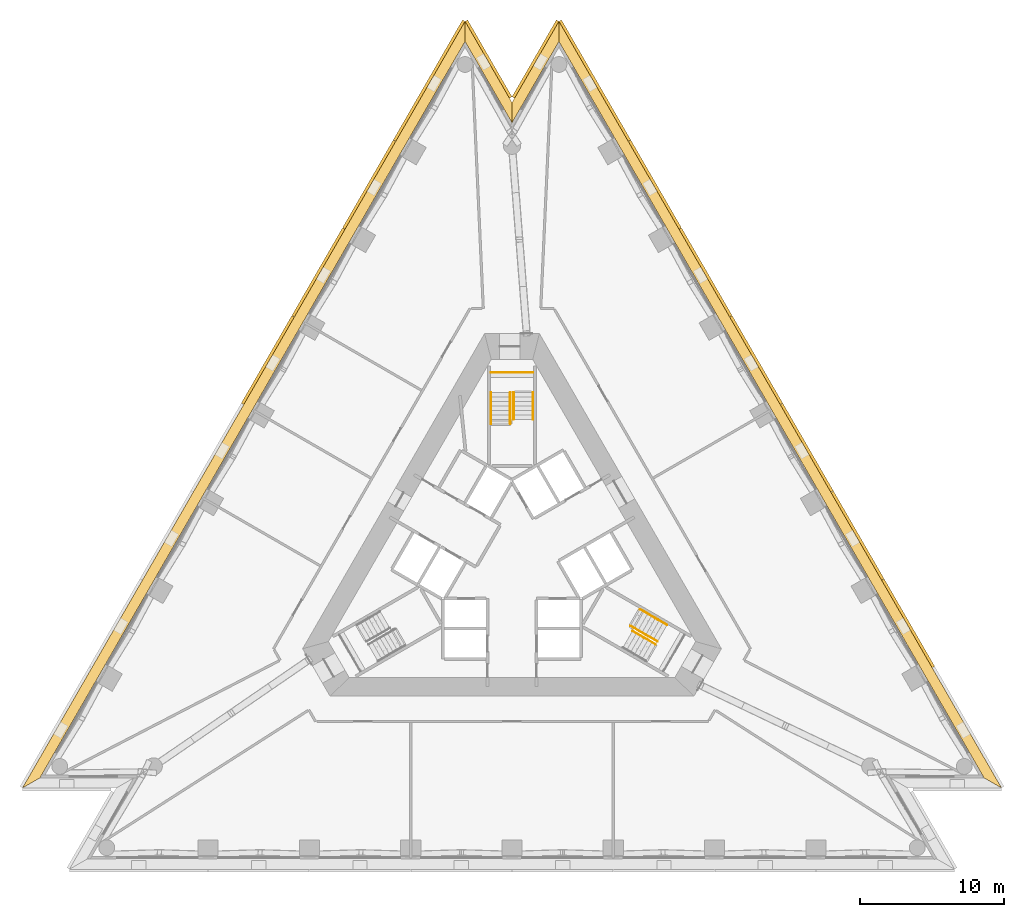
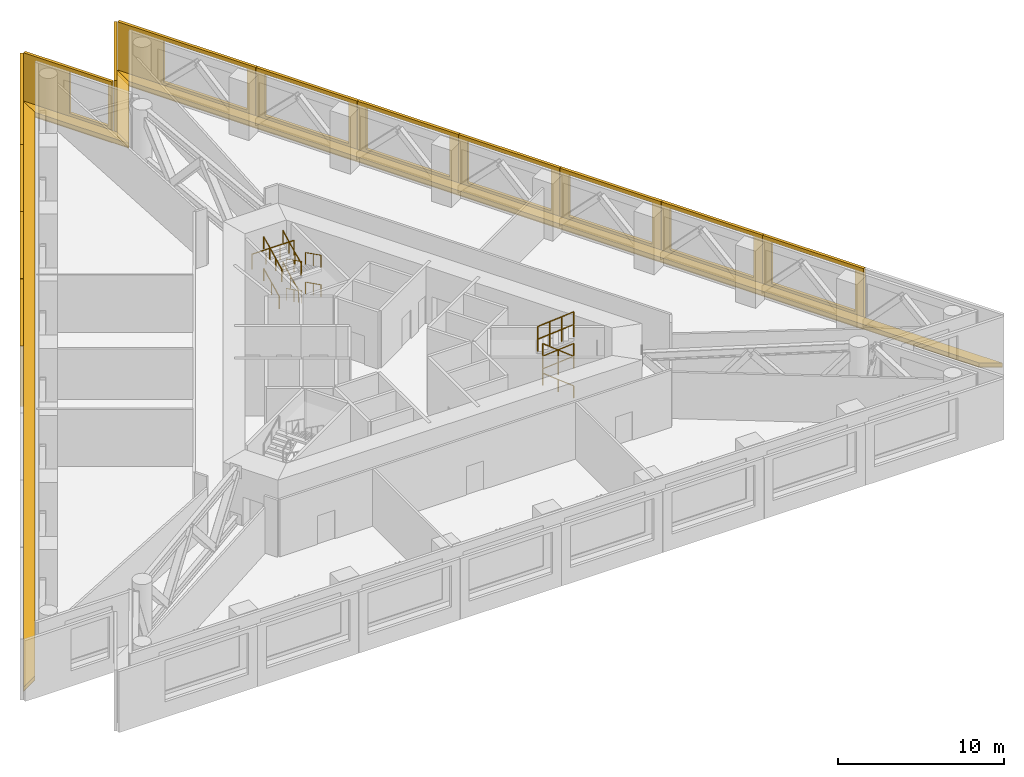
# One storey, part 12 of 12: 17 shading devices, 15 railings, 4 coverings, 2 elements without a shape of their own.
"""IFC4 building model written with IfcOpenShell, lengths in metres."""

from ifc_helpers import new_model, si_unit, direction, frame, origin, origin_2d, place, context, subcontext, project, spatial, polyline, circle, outline, extrude, material, layer, layer_set, layer_usage, type_object, element, aggregate, save


model = new_model("IFC4")

# Units and contexts
model_context = context("Model", 3, precision=1e-05, world=origin(), true_north=direction((0.0, 1.0)))
body_context = subcontext(model_context, "Body", "Model", "MODEL_VIEW")
ifc_project = project(units=[si_unit("LENGTHUNIT", "METRE"), si_unit("AREAUNIT", "SQUARE_METRE"), si_unit("VOLUMEUNIT", "CUBIC_METRE"), si_unit("PLANEANGLEUNIT", "RADIAN"), si_unit("MASSUNIT", "GRAM", prefix="KILO")], contexts=[model_context])

# Site, building, storey
site_placement = place(None, origin())
site = spatial("IfcSite", under=ifc_project, at=site_placement, CompositionType="ELEMENT")
building_placement = place(site_placement, origin())
building = spatial("IfcBuilding", under=site, at=building_placement, Name="Triada Interchange Tower", CompositionType="ELEMENT")
storey_placement = place(building_placement, frame((0.0, 0.0, 99.800048828125)))
storey = spatial("IfcBuildingStorey", under=building, at=storey_placement, Name="L22", CompositionType="ELEMENT", Elevation=99.800048828125)

# Coverings
ifc_material_1 = material(Name="Mineral fire-stop board")
ifc_layer_1 = layer(ifc_material_1, 0.0400390625, Name="Mineral fire-stop board")
ifc_material_2 = material(Name="Intumescent sealant")
ifc_layer_2 = layer(ifc_material_2, 0.010009765625, Name="Intumescent seal")
ifc_layer_set_1 = layer_set([ifc_layer_1, ifc_layer_2], Name="Cavity fire stop")
ifc_layer_usage = layer_usage(ifc_layer_set_1, "AXIS3", "POSITIVE", 0.0)
covering_type = type_object("IfcCoveringType", Name="Cavity fire stop", PredefinedType="INSULATION", material=ifc_layer_set_1)
covering_1_placement = place(storey_placement, origin())
element("IfcCovering", 1, at=covering_1_placement, inside=storey, type_object=covering_type, material=ifc_layer_usage, Name="Cavity fire stop L22 NW", PredefinedType="INSULATION", context=body_context, shape_type="SweptSolid", body=[
    extrude(outline(polyline([(-3.261962890625, 36.00390625), (-3.261962890625, 37.404052734375), (-34.02294921875, -15.876953125), (-32.81103515625, -15.177001953125), (-3.261962890625, 36.00390625)])), origin(), (0.0, 0.0, 1.0), 0.050048828125),
])
covering_2_placement = place(storey_placement, origin())
element("IfcCovering", 2, at=covering_2_placement, inside=storey, type_object=covering_type, material=ifc_layer_usage, Name="Cavity fire stop L22 NE", PredefinedType="INSULATION", context=body_context, shape_type="SweptSolid", body=[
    extrude(outline(polyline([(32.81103515625, -15.177001953125), (34.02294921875, -15.876953125), (3.261962890625, 37.404052734375), (3.261962890625, 36.00390625), (32.81103515625, -15.177001953125)])), origin(), (0.0, 0.0, 1.0), 0.050048828125),
])
covering_3_placement = place(storey_placement, origin())
element("IfcCovering", 3, at=covering_3_placement, inside=storey, type_object=covering_type, material=ifc_layer_usage, Name="Cavity fire stop L22 N-1", PredefinedType="INSULATION", context=body_context, shape_type="SweptSolid", body=[
    extrude(outline(polyline([(3.261962890625, 36.00390625), (3.261962890625, 37.404052734375), (0.0, 31.7529296875), (0.0, 30.35302734375), (3.261962890625, 36.00390625)])), origin(), (0.0, 0.0, 1.0), 0.050048828125),
])
covering_4_placement = place(storey_placement, origin())
element("IfcCovering", 4, at=covering_4_placement, inside=storey, type_object=covering_type, material=ifc_layer_usage, Name="Cavity fire stop L22 N-2", PredefinedType="INSULATION", context=body_context, shape_type="SweptSolid", body=[
    extrude(outline(polyline([(0.0, 30.35302734375), (0.0, 31.7529296875), (-3.261962890625, 37.404052734375), (-3.261962890625, 36.00390625), (0.0, 30.35302734375)])), origin(), (0.0, 0.0, 1.0), 0.050048828125),
])

# Shading devices
ifc_material_3 = material(Name="Aluminium louvre", Category="aluminium")
shading_device_type_1 = type_object("IfcShadingDeviceType", Name="Cavity louvre grille", PredefinedType="JALOUSIE", material=ifc_material_3)
shading_device_1_placement = place(storey_placement, frame((0.0, 0.0, 0.050048828125)))
element("IfcShadingDevice", 5, at=shading_device_1_placement, inside=storey, type_object=shading_device_type_1, Name="Cavity louvre grille L22 NW", PredefinedType="JALOUSIE", context=body_context, shape_type="SweptSolid", body=[
    extrude(outline(polyline([(-3.261962890625, 36.00390625), (-3.261962890625, 37.404052734375), (-34.02294921875, -15.876953125), (-32.81103515625, -15.177001953125), (-3.261962890625, 36.00390625)])), origin(), (0.0, 0.0, 1.0), 0.2998046875),
])
shading_device_2_placement = place(storey_placement, frame((0.0, 0.0, 0.050048828125)))
element("IfcShadingDevice", 6, at=shading_device_2_placement, inside=storey, type_object=shading_device_type_1, Name="Cavity louvre grille L22 NE", PredefinedType="JALOUSIE", context=body_context, shape_type="SweptSolid", body=[
    extrude(outline(polyline([(32.81103515625, -15.177001953125), (34.02294921875, -15.876953125), (3.261962890625, 37.404052734375), (3.261962890625, 36.00390625), (32.81103515625, -15.177001953125)])), origin(), (0.0, 0.0, 1.0), 0.2998046875),
])
shading_device_3_placement = place(storey_placement, frame((0.0, 0.0, 0.050048828125)))
element("IfcShadingDevice", 7, at=shading_device_3_placement, inside=storey, type_object=shading_device_type_1, Name="Cavity louvre grille L22 N-1", PredefinedType="JALOUSIE", context=body_context, shape_type="SweptSolid", body=[
    extrude(outline(polyline([(3.261962890625, 36.00390625), (3.261962890625, 37.404052734375), (0.0, 31.7529296875), (0.0, 30.35302734375), (3.261962890625, 36.00390625)])), origin(), (0.0, 0.0, 1.0), 0.2998046875),
])
shading_device_4_placement = place(storey_placement, frame((0.0, 0.0, 0.050048828125)))
element("IfcShadingDevice", 8, at=shading_device_4_placement, inside=storey, type_object=shading_device_type_1, Name="Cavity louvre grille L22 N-2", PredefinedType="JALOUSIE", context=body_context, shape_type="SweptSolid", body=[
    extrude(outline(polyline([(0.0, 30.35302734375), (0.0, 31.7529296875), (-3.261962890625, 37.404052734375), (-3.261962890625, 36.00390625), (0.0, 30.35302734375)])), origin(), (0.0, 0.0, 1.0), 0.2998046875),
])
ifc_material_4 = material(Name="Concrete C50/60 precast", Category="concrete")
ifc_layer_3 = layer(ifc_material_4, 0.02001953125, Name="Exposed aggregate face")
ifc_layer_4 = layer(ifc_material_4, 0.179931640625, Name="Precast concrete screen")
ifc_layer_set_2 = layer_set([ifc_layer_3, ifc_layer_4], Name="Outer skin screen panel 4480")
shading_device_type_2 = type_object("IfcShadingDeviceType", Name="Outer skin screen panel 4480", PredefinedType="SHUTTER", material=ifc_layer_set_2)
shading_device_5_placement = place(storey_placement, frame((-3.26708984375, 37.39501953125, -0.590087890625), z_axis=(0.0, 0.0, 1.0), x_axis=(-0.499958286178, -0.866049485931, 0.0)))
element("IfcShadingDevice", 9, at=shading_device_5_placement, inside=storey, type_object=shading_device_type_2, Name="Outer skin screen panel L22 01", PredefinedType="SHUTTER", context=body_context, shape_type="SweptSolid", body=[
    extrude(outline(polyline([(0.0, 0.0), (9.618408203125, 0.0), (9.618408203125, 4.47998046875), (0.0, 4.47998046875), (0.0, 0.0)]), holes=[polyline([(3.20849609375, 1.139892578125), (3.20849609375, 4.18994140625), (9.008544921875, 4.18994140625), (9.008544921875, 1.139892578125), (3.20849609375, 1.139892578125)])]), frame((0.0, 0.0, 0.0), z_axis=(0.0, -1.0, 0.0), x_axis=(1.0, 0.0, 0.0)), (0.0, 0.0, 1.0), 0.199951171875),
])
shading_device_6_placement = place(storey_placement, frame((-8.0859375, 29.048095703125, -0.590087890625), z_axis=(0.0, 0.0, 1.0), x_axis=(-0.500009374365, -0.866019991425, 0.0)))
element("IfcShadingDevice", 10, at=shading_device_6_placement, inside=storey, type_object=shading_device_type_2, Name="Outer skin screen panel L22 02", PredefinedType="SHUTTER", context=body_context, shape_type="SweptSolid", body=[
    extrude(outline(polyline([(0.0, 0.0), (7.021728515625, 0.0), (7.021728515625, 4.47998046875), (0.0, 4.47998046875), (0.0, 0.0)]), holes=[polyline([(0.610595703125, 1.139892578125), (0.610595703125, 4.18994140625), (6.41064453125, 4.18994140625), (6.41064453125, 1.139892578125), (0.610595703125, 1.139892578125)])]), frame((0.0, 0.0, 0.0), z_axis=(0.0, -1.0, 0.0), x_axis=(1.0, 0.0, 0.0)), (0.0, 0.0, 1.0), 0.199951171875),
])
shading_device_7_placement = place(storey_placement, frame((-11.60693359375, 22.949951171875, -0.590087890625), z_axis=(0.0, 0.0, 1.0), x_axis=(-0.499980340241, -0.866036754054, 0.0)))
element("IfcShadingDevice", 11, at=shading_device_7_placement, inside=storey, type_object=shading_device_type_2, Name="Outer skin screen panel L22 03", PredefinedType="SHUTTER", context=body_context, shape_type="SweptSolid", body=[
    extrude(outline(polyline([(0.0, 0.0), (7.020263671875, 0.0), (7.020263671875, 4.47998046875), (0.0, 4.47998046875), (0.0, 0.0)]), holes=[polyline([(0.610595703125, 1.139892578125), (0.610595703125, 4.18994140625), (6.41064453125, 4.18994140625), (6.41064453125, 1.139892578125), (0.610595703125, 1.139892578125)])]), frame((0.0, 0.0, 0.0), z_axis=(0.0, -1.0, 0.0), x_axis=(1.0, 0.0, 0.0)), (0.0, 0.0, 1.0), 0.199951171875),
])
shading_device_8_placement = place(storey_placement, frame((-15.126953125, 16.85205078125, -0.590087890625), z_axis=(0.0, 0.0, 1.0), x_axis=(-0.500069602401, -0.86598521509, 0.0)))
element("IfcShadingDevice", 12, at=shading_device_8_placement, inside=storey, type_object=shading_device_type_2, Name="Outer skin screen panel L22 04", PredefinedType="SHUTTER", context=body_context, shape_type="SweptSolid", body=[
    extrude(outline(polyline([(0.0, 0.0), (7.02099609375, 0.0), (7.02099609375, 4.47998046875), (0.0, 4.47998046875), (0.0, 0.0)]), holes=[polyline([(0.61083984375, 1.139892578125), (0.61083984375, 4.18994140625), (6.410888671875, 4.18994140625), (6.410888671875, 1.139892578125), (0.61083984375, 1.139892578125)])]), frame((0.0, 0.0, 0.0), z_axis=(0.0, -1.0, 0.0), x_axis=(1.0, 0.0, 0.0)), (0.0, 0.0, 1.0), 0.199951171875),
])
shading_device_9_placement = place(storey_placement, frame((29.198974609375, -7.52099609375, -0.590087890625), z_axis=(0.0, 0.0, 1.0), x_axis=(-0.500009374365, 0.866019991425, 0.0)))
element("IfcShadingDevice", 13, at=shading_device_9_placement, inside=storey, type_object=shading_device_type_2, Name="Outer skin screen panel L22 22", PredefinedType="SHUTTER", context=body_context, shape_type="SweptSolid", body=[
    extrude(outline(polyline([(0.0, 0.0), (7.021728515625, 0.0), (7.021728515625, 4.47998046875), (0.0, 4.47998046875), (0.0, 0.0)]), holes=[polyline([(0.6103515625, 1.139892578125), (0.6103515625, 4.18994140625), (6.410400390625, 4.18994140625), (6.410400390625, 1.139892578125), (0.6103515625, 1.139892578125)])]), frame((0.0, 0.0, 0.0), z_axis=(0.0, -1.0, 0.0), x_axis=(1.0, 0.0, 0.0)), (0.0, 0.0, 1.0), 0.199951171875),
])
shading_device_10_placement = place(storey_placement, frame((25.677978515625, -1.423095703125, -0.590087890625), z_axis=(0.0, 0.0, 1.0), x_axis=(-0.49996528239, 0.866045447078, 0.0)))
element("IfcShadingDevice", 14, at=shading_device_10_placement, inside=storey, type_object=shading_device_type_2, Name="Outer skin screen panel L22 23", PredefinedType="SHUTTER", context=body_context, shape_type="SweptSolid", body=[
    extrude(outline(polyline([(0.0, 0.0), (7.0205078125, 0.0), (7.0205078125, 4.47998046875), (0.0, 4.47998046875), (0.0, 0.0)]), holes=[polyline([(0.610595703125, 1.139892578125), (0.610595703125, 4.18994140625), (6.410400390625, 4.18994140625), (6.410400390625, 1.139892578125), (0.610595703125, 1.139892578125)])]), frame((0.0, 0.0, 0.0), z_axis=(0.0, -1.0, 0.0), x_axis=(1.0, 0.0, 0.0)), (0.0, 0.0, 1.0), 0.199951171875),
])
shading_device_11_placement = place(storey_placement, frame((22.157958984375, 4.675048828125, -0.590087890625), z_axis=(0.0, 0.0, 1.0), x_axis=(-0.499980340241, 0.866036754054, 0.0)))
element("IfcShadingDevice", 15, at=shading_device_11_placement, inside=storey, type_object=shading_device_type_2, Name="Outer skin screen panel L22 24", PredefinedType="SHUTTER", context=body_context, shape_type="SweptSolid", body=[
    extrude(outline(polyline([(0.0, 0.0), (7.020263671875, 0.0), (7.020263671875, 4.47998046875), (0.0, 4.47998046875), (0.0, 0.0)]), holes=[polyline([(0.610595703125, 1.139892578125), (0.610595703125, 4.18994140625), (6.41064453125, 4.18994140625), (6.41064453125, 1.139892578125), (0.610595703125, 1.139892578125)])]), frame((0.0, 0.0, 0.0), z_axis=(0.0, -1.0, 0.0), x_axis=(1.0, 0.0, 0.0)), (0.0, 0.0, 1.0), 0.199951171875),
])
shading_device_12_placement = place(storey_placement, frame((18.637939453125, 10.77197265625, -0.590087890625), z_axis=(0.0, 0.0, 1.0), x_axis=(-0.500069602401, 0.86598521509, 0.0)))
element("IfcShadingDevice", 16, at=shading_device_12_placement, inside=storey, type_object=shading_device_type_2, Name="Outer skin screen panel L22 25", PredefinedType="SHUTTER", context=body_context, shape_type="SweptSolid", body=[
    extrude(outline(polyline([(0.0, 0.0), (7.02099609375, 0.0), (7.02099609375, 4.47998046875), (0.0, 4.47998046875), (0.0, 0.0)]), holes=[polyline([(0.610595703125, 1.139892578125), (0.610595703125, 4.18994140625), (6.41064453125, 4.18994140625), (6.41064453125, 1.139892578125), (0.610595703125, 1.139892578125)])]), frame((0.0, 0.0, 0.0), z_axis=(0.0, -1.0, 0.0), x_axis=(1.0, 0.0, 0.0)), (0.0, 0.0, 1.0), 0.199951171875),
])
shading_device_13_placement = place(storey_placement, frame((15.116943359375, 16.8701171875, -0.590087890625), z_axis=(0.0, 0.0, 1.0), x_axis=(-0.499980340241, 0.866036754054, 0.0)))
element("IfcShadingDevice", 17, at=shading_device_13_placement, inside=storey, type_object=shading_device_type_2, Name="Outer skin screen panel L22 26", PredefinedType="SHUTTER", context=body_context, shape_type="SweptSolid", body=[
    extrude(outline(polyline([(0.0, 0.0), (7.020263671875, 0.0), (7.020263671875, 4.47998046875), (0.0, 4.47998046875), (0.0, 0.0)]), holes=[polyline([(0.61083984375, 1.139892578125), (0.61083984375, 4.18994140625), (6.410888671875, 4.18994140625), (6.410888671875, 1.139892578125), (0.61083984375, 1.139892578125)])]), frame((0.0, 0.0, 0.0), z_axis=(0.0, -1.0, 0.0), x_axis=(1.0, 0.0, 0.0)), (0.0, 0.0, 1.0), 0.199951171875),
])
shading_device_14_placement = place(storey_placement, frame((11.596923828125, 22.967041015625, -0.590087890625), z_axis=(0.0, 0.0, 1.0), x_axis=(-0.500009374365, 0.866019991425, 0.0)))
element("IfcShadingDevice", 18, at=shading_device_14_placement, inside=storey, type_object=shading_device_type_2, Name="Outer skin screen panel L22 27", PredefinedType="SHUTTER", context=body_context, shape_type="SweptSolid", body=[
    extrude(outline(polyline([(0.0, 0.0), (7.021728515625, 0.0), (7.021728515625, 4.47998046875), (0.0, 4.47998046875), (0.0, 0.0)]), holes=[polyline([(0.60986328125, 1.139892578125), (0.60986328125, 4.18994140625), (6.409912109375, 4.18994140625), (6.409912109375, 1.139892578125), (0.60986328125, 1.139892578125)])]), frame((0.0, 0.0, 0.0), z_axis=(0.0, -1.0, 0.0), x_axis=(1.0, 0.0, 0.0)), (0.0, 0.0, 1.0), 0.199951171875),
])
shading_device_15_placement = place(storey_placement, frame((8.075927734375, 29.06494140625, -0.590087890625), z_axis=(0.0, 0.0, 1.0), x_axis=(-0.499958286178, 0.866049485931, 0.0)))
element("IfcShadingDevice", 19, at=shading_device_15_placement, inside=storey, type_object=shading_device_type_2, Name="Outer skin screen panel L22 28", PredefinedType="SHUTTER", context=body_context, shape_type="SweptSolid", body=[
    extrude(outline(polyline([(0.0, 0.0), (9.618408203125, 0.0), (9.618408203125, 4.47998046875), (0.0, 4.47998046875), (0.0, 0.0)]), holes=[polyline([(0.610107421875, 1.139892578125), (0.610107421875, 4.18994140625), (6.409912109375, 4.18994140625), (6.409912109375, 1.139892578125), (0.610107421875, 1.139892578125)])]), frame((0.0, 0.0, 0.0), z_axis=(0.0, -1.0, 0.0), x_axis=(1.0, 0.0, 0.0)), (0.0, 0.0, 1.0), 0.199951171875),
])
shading_device_16_placement = place(storey_placement, frame((3.257080078125, 37.39501953125, -0.590087890625), z_axis=(0.0, 0.0, 1.0), x_axis=(-0.500010725686, -0.866019211218, 0.0)))
element("IfcShadingDevice", 20, at=shading_device_16_placement, inside=storey, type_object=shading_device_type_2, Name="Outer skin screen panel L22 29", PredefinedType="SHUTTER", context=body_context, shape_type="SweptSolid", body=[
    extrude(outline(polyline([(0.0, 0.0), (6.157958984375, 0.0), (6.157958984375, 4.47998046875), (0.0, 4.47998046875), (0.0, 0.0)]), holes=[polyline([(3.17578125, 1.139892578125), (3.17578125, 4.18994140625), (5.8583984375, 4.18994140625), (5.8583984375, 1.139892578125), (3.17578125, 1.139892578125)])]), frame((0.0, 0.0, 0.0), z_axis=(0.0, -1.0, 0.0), x_axis=(1.0, 0.0, 0.0)), (0.0, 0.0, 1.0), 0.199951171875),
])
shading_device_17_placement = place(storey_placement, frame((-0.177978515625, 32.06201171875, -0.590087890625), z_axis=(0.0, 0.0, 1.0), x_axis=(-0.500010725686, 0.866019211218, 0.0)))
element("IfcShadingDevice", 21, at=shading_device_17_placement, inside=storey, type_object=shading_device_type_2, Name="Outer skin screen panel L22 30", PredefinedType="SHUTTER", context=body_context, shape_type="SweptSolid", body=[
    extrude(outline(polyline([(0.0, 0.0), (6.157958984375, 0.0), (6.157958984375, 4.47998046875), (0.0, 4.47998046875), (0.0, 0.0)]), holes=[polyline([(0.300048828125, 1.139892578125), (0.300048828125, 4.18994140625), (2.957763671875, 4.18994140625), (2.957763671875, 1.139892578125), (0.300048828125, 1.139892578125)])]), frame((0.0, 0.0, 0.0), z_axis=(0.0, -1.0, 0.0), x_axis=(1.0, 0.0, 0.0)), (0.0, 0.0, 1.0), 0.199951171875),
])

# Stair, railings
ifc_material_5 = material(Name="Concrete C35/45", Category="concrete")
stair_type = type_object("IfcStairType", Name="HALF TURN STAIR 1400", PredefinedType="HALF_TURN_STAIR", material=ifc_material_5)
stair_1_placement = place(storey_placement, origin())
stair_1 = element("IfcStair", 22, at=stair_1_placement, inside=storey, type_object=stair_type, Name="Exit stair S22-1", PredefinedType="HALF_TURN_STAIR")
ifc_material_6 = material(Name="Stainless steel 1.4301", Category="steel")
railing_type_1 = type_object("IfcRailingType", Name="STAIR GUARD 1100", PredefinedType="GUARDRAIL", material=ifc_material_6)
railing_1_placement = place(storey_placement, frame((1.449951171875, 13.0, 2.17236328125)))
railing_1 = element("IfcRailing", 23, at=railing_1_placement, type_object=railing_type_1, Name="Guard S22-1 1", PredefinedType="GUARDRAIL", context=body_context, shape_type="SweptSolid", body=[
    extrude(circle(Radius=0.02392578125, at=origin_2d()), frame((0.0, 0.0, 1.076171875), z_axis=(-1.0, 0.0, 0.0), x_axis=(0.0, -1.0, 0.0)), (0.0, 0.0, 1.0), 2.89990234375),
    extrude(circle(Radius=0.02099609375, at=origin_2d()), origin(), (0.0, 0.0, 1.0), 1.052001953125),
    extrude(circle(Radius=0.02099609375, at=origin_2d()), frame((-0.966552734375, 0.0, 0.0)), (0.0, 0.0, 1.0), 1.052001953125),
    extrude(circle(Radius=0.02099609375, at=origin_2d()), frame((-1.933349609375, 0.0, 0.0)), (0.0, 0.0, 1.0), 1.052001953125),
    extrude(circle(Radius=0.02099609375, at=origin_2d()), frame((-2.89990234375, 0.0, 0.0)), (0.0, 0.0, 1.0), 1.052001953125),
])
railing_type_2 = type_object("IfcRailingType", Name="STAIR HANDRAIL 900", PredefinedType="HANDRAIL", material=ifc_material_6)
railing_2_placement = place(storey_placement, frame((1.449951171875, 11.60009765625, 0.155029296875)))
railing_2 = element("IfcRailing", 24, at=railing_2_placement, type_object=railing_type_2, Name="Handrail S22-1 1W", PredefinedType="HANDRAIL", context=body_context, shape_type="SweptSolid", body=[
    extrude(circle(Radius=0.02392578125, at=origin_2d()), frame((0.0, 0.0, 0.8759765625), z_axis=(0.0, -0.894215831392, 0.447636065222), x_axis=(1.0, 0.0, 0.0)), (0.0, 0.0, 1.0), 2.080078125),
    extrude(circle(Radius=0.02099609375, at=origin_2d()), origin(), (0.0, 0.0, 1.0), 0.851806640625),
    extrude(circle(Radius=0.02099609375, at=origin_2d()), frame((0.0, -0.93017578125, 0.465576171875)), (0.0, 0.0, 1.0), 0.851806640625),
    extrude(circle(Radius=0.02099609375, at=origin_2d()), frame((0.0, -1.860107421875, 0.93115234375)), (0.0, 0.0, 1.0), 0.851806640625),
])
railing_3_placement = place(storey_placement, frame((0.1201171875, 11.60009765625, 0.155029296875)))
railing_3 = element("IfcRailing", 25, at=railing_3_placement, type_object=railing_type_2, Name="Handrail S22-1 1C", PredefinedType="HANDRAIL", context=body_context, shape_type="SweptSolid", body=[
    extrude(circle(Radius=0.02392578125, at=origin_2d()), frame((0.0, 0.0, 0.8759765625), z_axis=(0.0, -0.894215831392, 0.447636065222), x_axis=(1.0, 0.0, 0.0)), (0.0, 0.0, 1.0), 2.080078125),
    extrude(circle(Radius=0.02099609375, at=origin_2d()), origin(), (0.0, 0.0, 1.0), 0.851806640625),
    extrude(circle(Radius=0.02099609375, at=origin_2d()), frame((0.0, -0.93017578125, 0.465576171875)), (0.0, 0.0, 1.0), 0.851806640625),
    extrude(circle(Radius=0.02099609375, at=origin_2d()), frame((0.0, -1.860107421875, 0.93115234375)), (0.0, 0.0, 1.0), 0.851806640625),
])
railing_4_placement = place(storey_placement, frame((-1.449951171875, 9.739990234375, 1.241455078125)))
railing_4 = element("IfcRailing", 26, at=railing_4_placement, type_object=railing_type_2, Name="Handrail S22-1 2W", PredefinedType="HANDRAIL", context=body_context, shape_type="SweptSolid", body=[
    extrude(circle(Radius=0.02392578125, at=origin_2d()), frame((0.0, 0.0, 0.8759765625), z_axis=(0.0, 0.894262808804, 0.447542208947), x_axis=(-1.0, 0.0, 0.0)), (0.0, 0.0, 1.0), 2.080078125),
    extrude(circle(Radius=0.02099609375, at=origin_2d()), origin(), (0.0, 0.0, 1.0), 0.851806640625),
    extrude(circle(Radius=0.02099609375, at=origin_2d()), frame((0.0, 0.93017578125, 0.46533203125)), (0.0, 0.0, 1.0), 0.851806640625),
    extrude(circle(Radius=0.02099609375, at=origin_2d()), frame((0.0, 1.860107421875, 0.930908203125)), (0.0, 0.0, 1.0), 0.851806640625),
])
railing_5_placement = place(storey_placement, frame((-0.1201171875, 9.739990234375, 1.241455078125)))
railing_5 = element("IfcRailing", 27, at=railing_5_placement, type_object=railing_type_2, Name="Handrail S22-1 2C", PredefinedType="HANDRAIL", context=body_context, shape_type="SweptSolid", body=[
    extrude(circle(Radius=0.02392578125, at=origin_2d()), frame((0.0, 0.0, 0.8759765625), z_axis=(0.0, 0.894262808804, 0.447542208947), x_axis=(-1.0, 0.0, 0.0)), (0.0, 0.0, 1.0), 2.080078125),
    extrude(circle(Radius=0.02099609375, at=origin_2d()), origin(), (0.0, 0.0, 1.0), 0.851806640625),
    extrude(circle(Radius=0.02099609375, at=origin_2d()), frame((0.0, 0.93017578125, 0.46533203125)), (0.0, 0.0, 1.0), 0.851806640625),
    extrude(circle(Radius=0.02099609375, at=origin_2d()), frame((0.0, 1.860107421875, 0.930908203125)), (0.0, 0.0, 1.0), 0.851806640625),
])
railing_6_placement = place(storey_placement, frame((1.449951171875, 11.60009765625, 2.32763671875)))
railing_6 = element("IfcRailing", 28, at=railing_6_placement, type_object=railing_type_2, Name="Handrail S22-1 3W", PredefinedType="HANDRAIL", context=body_context, shape_type="SweptSolid", body=[
    extrude(circle(Radius=0.02392578125, at=origin_2d()), frame((0.0, 0.0, 0.8759765625), z_axis=(0.0, -0.894262808804, 0.447542208947), x_axis=(1.0, 0.0, 0.0)), (0.0, 0.0, 1.0), 2.080078125),
    extrude(circle(Radius=0.02099609375, at=origin_2d()), origin(), (0.0, 0.0, 1.0), 0.851806640625),
    extrude(circle(Radius=0.02099609375, at=origin_2d()), frame((0.0, -0.93017578125, 0.46533203125)), (0.0, 0.0, 1.0), 0.851806640625),
    extrude(circle(Radius=0.02099609375, at=origin_2d()), frame((0.0, -1.860107421875, 0.930908203125)), (0.0, 0.0, 1.0), 0.851806640625),
])
railing_7_placement = place(storey_placement, frame((0.1201171875, 11.60009765625, 2.32763671875)))
railing_7 = element("IfcRailing", 29, at=railing_7_placement, type_object=railing_type_2, Name="Handrail S22-1 3C", PredefinedType="HANDRAIL", context=body_context, shape_type="SweptSolid", body=[
    extrude(circle(Radius=0.02392578125, at=origin_2d()), frame((0.0, 0.0, 0.8759765625), z_axis=(0.0, -0.894262808804, 0.447542208947), x_axis=(1.0, 0.0, 0.0)), (0.0, 0.0, 1.0), 2.080078125),
    extrude(circle(Radius=0.02099609375, at=origin_2d()), origin(), (0.0, 0.0, 1.0), 0.851806640625),
    extrude(circle(Radius=0.02099609375, at=origin_2d()), frame((0.0, -0.93017578125, 0.46533203125)), (0.0, 0.0, 1.0), 0.851806640625),
    extrude(circle(Radius=0.02099609375, at=origin_2d()), frame((0.0, -1.860107421875, 0.930908203125)), (0.0, 0.0, 1.0), 0.851806640625),
])
railing_8_placement = place(storey_placement, frame((-1.449951171875, 9.429931640625, 3.413818359375)))
railing_8 = element("IfcRailing", 30, at=railing_8_placement, type_object=railing_type_2, Name="Handrail S22-1 4W", PredefinedType="HANDRAIL", context=body_context, shape_type="SweptSolid", body=[
    extrude(circle(Radius=0.02392578125, at=origin_2d()), frame((0.0, 0.0, 0.8759765625), z_axis=(0.0, 0.894246035119, 0.447575723956), x_axis=(-1.0, 0.0, 0.0)), (0.0, 0.0, 1.0), 2.4267578125),
    extrude(circle(Radius=0.02099609375, at=origin_2d()), origin(), (0.0, 0.0, 1.0), 0.851806640625),
    extrude(circle(Radius=0.02099609375, at=origin_2d()), frame((0.0, 0.723388671875, 0.362060546875)), (0.0, 0.0, 1.0), 0.851806640625),
    extrude(circle(Radius=0.02099609375, at=origin_2d()), frame((0.0, 1.44677734375, 0.72412109375)), (0.0, 0.0, 1.0), 0.851806640625),
    extrude(circle(Radius=0.02099609375, at=origin_2d()), frame((0.0, 2.170166015625, 1.086181640625)), (0.0, 0.0, 1.0), 0.851806640625),
])
railing_9_placement = place(storey_placement, frame((-0.1201171875, 9.429931640625, 3.413818359375)))
railing_9 = element("IfcRailing", 31, at=railing_9_placement, type_object=railing_type_2, Name="Handrail S22-1 4C", PredefinedType="HANDRAIL", context=body_context, shape_type="SweptSolid", body=[
    extrude(circle(Radius=0.02392578125, at=origin_2d()), frame((0.0, 0.0, 0.8759765625), z_axis=(0.0, 0.894246035119, 0.447575723956), x_axis=(-1.0, 0.0, 0.0)), (0.0, 0.0, 1.0), 2.4267578125),
    extrude(circle(Radius=0.02099609375, at=origin_2d()), origin(), (0.0, 0.0, 1.0), 0.851806640625),
    extrude(circle(Radius=0.02099609375, at=origin_2d()), frame((0.0, 0.723388671875, 0.362060546875)), (0.0, 0.0, 1.0), 0.851806640625),
    extrude(circle(Radius=0.02099609375, at=origin_2d()), frame((0.0, 1.44677734375, 0.72412109375)), (0.0, 0.0, 1.0), 0.851806640625),
    extrude(circle(Radius=0.02099609375, at=origin_2d()), frame((0.0, 2.170166015625, 1.086181640625)), (0.0, 0.0, 1.0), 0.851806640625),
])
aggregate(stair_1, [railing_2, railing_3, railing_4, railing_5, railing_6, railing_7, railing_8, railing_9, railing_1])

stair_2_placement = place(storey_placement, origin())
stair_2 = element("IfcStair", 32, at=stair_2_placement, inside=storey, type_object=stair_type, Name="Exit stair S22-3", PredefinedType="HALF_TURN_STAIR")
railing_10_placement = place(storey_placement, frame((9.986083984375, -5.904052734375, 0.155029296875)))
railing_10 = element("IfcRailing", 33, at=railing_10_placement, type_object=railing_type_2, Name="Handrail S22-3 1C", PredefinedType="HANDRAIL", context=body_context, shape_type="SweptSolid", body=[
    extrude(circle(Radius=0.02392578125, at=origin_2d()), frame((0.0, 0.0, 0.8759765625), z_axis=(-0.774469289278, 0.447030386856, 0.447617194925), x_axis=(-0.499908018857, -0.866078502609, 0.0)), (0.0, 0.0, 1.0), 2.080322265625),
    extrude(circle(Radius=0.02099609375, at=origin_2d()), origin(), (0.0, 0.0, 1.0), 0.851806640625),
    extrude(circle(Radius=0.02099609375, at=origin_2d()), frame((-0.8056640625, 0.46484375, 0.465576171875)), (0.0, 0.0, 1.0), 0.851806640625),
    extrude(circle(Radius=0.02099609375, at=origin_2d()), frame((-1.611083984375, 0.929931640625, 0.93115234375)), (0.0, 0.0, 1.0), 0.851806640625),
])
railing_11_placement = place(storey_placement, frame((9.159912109375, -3.614013671875, 1.241455078125)))
railing_11 = element("IfcRailing", 34, at=railing_11_placement, type_object=railing_type_2, Name="Handrail S22-3 2W", PredefinedType="HANDRAIL", context=body_context, shape_type="SweptSolid", body=[
    extrude(circle(Radius=0.02392578125, at=origin_2d()), frame((0.0, 0.0, 0.8759765625), z_axis=(0.774509972404, -0.447053869509, 0.447523340624), x_axis=(0.499908018857, 0.866078502609, 0.0)), (0.0, 0.0, 1.0), 2.080078125),
    extrude(circle(Radius=0.02099609375, at=origin_2d()), origin(), (0.0, 0.0, 1.0), 0.851806640625),
    extrude(circle(Radius=0.02099609375, at=origin_2d()), frame((0.8056640625, -0.46484375, 0.46533203125)), (0.0, 0.0, 1.0), 0.851806640625),
    extrude(circle(Radius=0.02099609375, at=origin_2d()), frame((1.611083984375, -0.929931640625, 0.930908203125)), (0.0, 0.0, 1.0), 0.851806640625),
])
railing_12_placement = place(storey_placement, frame((8.4951171875, -4.76611328125, 1.241455078125)))
railing_12 = element("IfcRailing", 35, at=railing_12_placement, type_object=railing_type_2, Name="Handrail S22-3 2C", PredefinedType="HANDRAIL", context=body_context, shape_type="SweptSolid", body=[
    extrude(circle(Radius=0.02392578125, at=origin_2d()), frame((0.0, 0.0, 0.8759765625), z_axis=(0.774463003126, -0.447094510292, 0.447564024086), x_axis=(0.499964847546, 0.866045698112, 0.0)), (0.0, 0.0, 1.0), 2.079833984375),
    extrude(circle(Radius=0.02099609375, at=origin_2d()), origin(), (0.0, 0.0, 1.0), 0.851806640625),
    extrude(circle(Radius=0.02099609375, at=origin_2d()), frame((0.805419921875, -0.46484375, 0.46533203125)), (0.0, 0.0, 1.0), 0.851806640625),
    extrude(circle(Radius=0.02099609375, at=origin_2d()), frame((1.61083984375, -0.929931640625, 0.930908203125)), (0.0, 0.0, 1.0), 0.851806640625),
])
railing_13_placement = place(storey_placement, frame((9.986083984375, -5.904052734375, 2.32763671875)))
railing_13 = element("IfcRailing", 36, at=railing_13_placement, type_object=railing_type_2, Name="Handrail S22-3 3C", PredefinedType="HANDRAIL", context=body_context, shape_type="SweptSolid", body=[
    extrude(circle(Radius=0.02392578125, at=origin_2d()), frame((0.0, 0.0, 0.8759765625), z_axis=(-0.774509972404, 0.447053869509, 0.447523340624), x_axis=(-0.499908018857, -0.866078502609, 0.0)), (0.0, 0.0, 1.0), 2.080078125),
    extrude(circle(Radius=0.02099609375, at=origin_2d()), origin(), (0.0, 0.0, 1.0), 0.851806640625),
    extrude(circle(Radius=0.02099609375, at=origin_2d()), frame((-0.8056640625, 0.46484375, 0.46533203125)), (0.0, 0.0, 1.0), 0.851806640625),
    extrude(circle(Radius=0.02099609375, at=origin_2d()), frame((-1.611083984375, 0.929931640625, 0.930908203125)), (0.0, 0.0, 1.0), 0.851806640625),
])
railing_14_placement = place(storey_placement, frame((8.89208984375, -3.458984375, 3.413818359375)))
railing_14 = element("IfcRailing", 37, at=railing_14_placement, type_object=railing_type_2, Name="Handrail S22-3 4W", PredefinedType="HANDRAIL", context=body_context, shape_type="SweptSolid", body=[
    extrude(circle(Radius=0.02392578125, at=origin_2d()), frame((0.0, 0.0, 0.8759765625), z_axis=(0.774372634864, -0.44715592377, 0.447659024494), x_axis=(0.500060114735, 0.865990693744, 0.0)), (0.0, 0.0, 1.0), 2.42626953125),
    extrude(circle(Radius=0.02099609375, at=origin_2d()), origin(), (0.0, 0.0, 1.0), 0.851806640625),
    extrude(circle(Radius=0.02099609375, at=origin_2d()), frame((0.626220703125, -0.361572265625, 0.362060546875)), (0.0, 0.0, 1.0), 0.851806640625),
    extrude(circle(Radius=0.02099609375, at=origin_2d()), frame((1.252685546875, -0.723388671875, 0.72412109375)), (0.0, 0.0, 1.0), 0.851806640625),
    extrude(circle(Radius=0.02099609375, at=origin_2d()), frame((1.87890625, -1.0849609375, 1.086181640625)), (0.0, 0.0, 1.0), 0.851806640625),
])
railing_15_placement = place(storey_placement, frame((8.22705078125, -4.611083984375, 3.413818359375)))
railing_15 = element("IfcRailing", 38, at=railing_15_placement, type_object=railing_type_2, Name="Handrail S22-3 4C", PredefinedType="HANDRAIL", context=body_context, shape_type="SweptSolid", body=[
    extrude(circle(Radius=0.02392578125, at=origin_2d()), frame((0.0, 0.0, 0.8759765625), z_axis=(0.774372634864, -0.44715592377, 0.447659024494), x_axis=(0.500060114735, 0.865990693744, 0.0)), (0.0, 0.0, 1.0), 2.42626953125),
    extrude(circle(Radius=0.02099609375, at=origin_2d()), origin(), (0.0, 0.0, 1.0), 0.851806640625),
    extrude(circle(Radius=0.02099609375, at=origin_2d()), frame((0.626220703125, -0.361572265625, 0.362060546875)), (0.0, 0.0, 1.0), 0.851806640625),
    extrude(circle(Radius=0.02099609375, at=origin_2d()), frame((1.252685546875, -0.723388671875, 0.72412109375)), (0.0, 0.0, 1.0), 0.851806640625),
    extrude(circle(Radius=0.02099609375, at=origin_2d()), frame((1.87890625, -1.0849609375, 1.086181640625)), (0.0, 0.0, 1.0), 0.851806640625),
])
aggregate(stair_2, [railing_10, railing_11, railing_12, railing_13, railing_14, railing_15])

save(model, "model.ifc")
